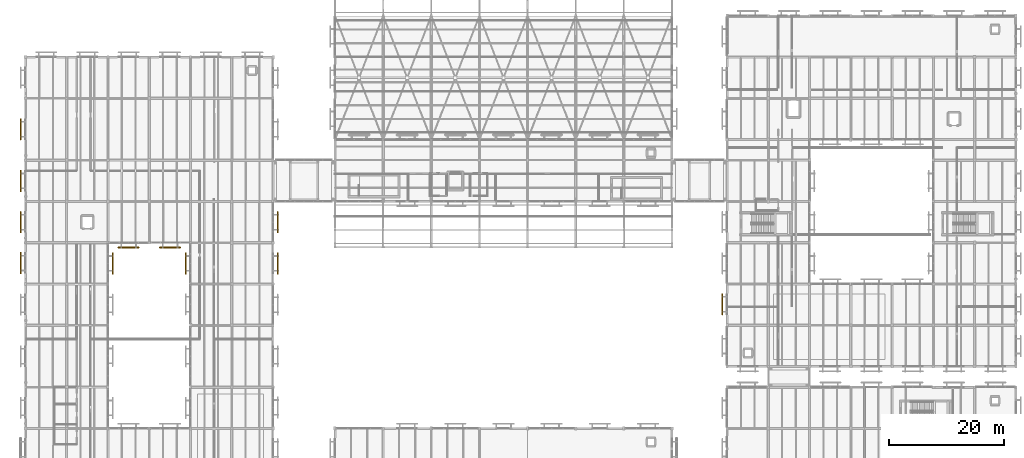
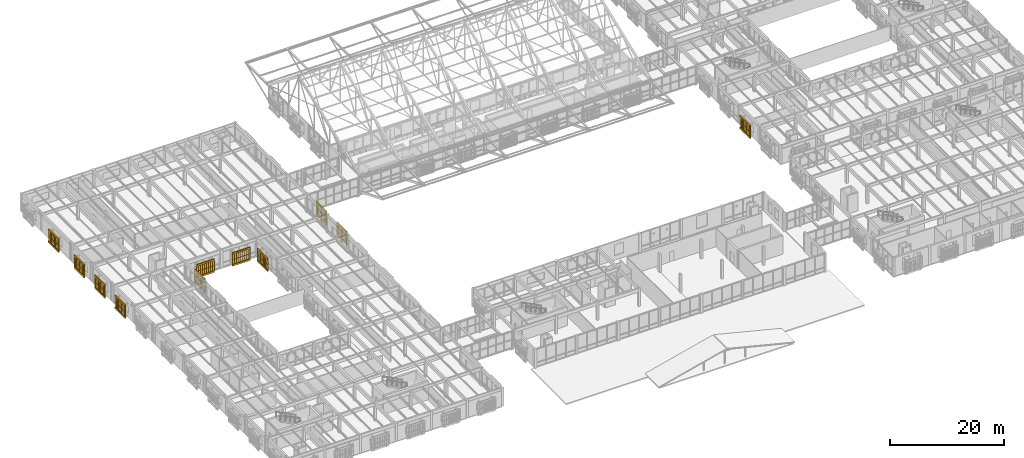
# One storey, part 204 of 217: 22 coverings, 22 railings.
"""IFC4 building model written with IfcOpenShell, lengths in metres."""

from ifc_helpers import new_model, si_unit, direction, frame, origin, origin_2d, place, context, subcontext, project, spatial, polyline, circle, outline, extrude, material, layer, layer_set, type_object, element, save


model = new_model("IFC4")

# Units and contexts
model_context = context("Model", 3, precision=1e-05, world=origin(), true_north=direction((0.0, 1.0)))
body_context = subcontext(model_context, "Body", "Model", "MODEL_VIEW")
ifc_project = project(units=[si_unit("LENGTHUNIT", "METRE"), si_unit("AREAUNIT", "SQUARE_METRE"), si_unit("VOLUMEUNIT", "CUBIC_METRE"), si_unit("PLANEANGLEUNIT", "RADIAN"), si_unit("MASSUNIT", "GRAM", prefix="KILO")], contexts=[model_context])

# Site, building, storey
site_placement = place(None, origin())
site = spatial("IfcSite", under=ifc_project, at=site_placement, CompositionType="ELEMENT")
building_placement = place(site_placement, origin())
building = spatial("IfcBuilding", under=site, at=building_placement, Name="Mazaris Harbour Polytechnic", CompositionType="ELEMENT")
storey_placement = place(building_placement, frame((0.0, 0.0, 9.60009765625)))
storey = spatial("IfcBuildingStorey", under=building, at=storey_placement, Name="L02", CompositionType="ELEMENT", Elevation=9.60009765625)

# Railings
ifc_material_1 = material(Name="Perforated Earth-Coloured Terracotta Block", Category="masonry")
railing_type = type_object("IfcRailingType", Name="Perforated Earth-Block Claustra Lattice 1040", PredefinedType="BALUSTRADE", material=ifc_material_1)
for number, where, name in (
    (1, (-0.820068359375, 63.06494140625, 0.52001953125), "V4 L02 Lower Perforated Terracotta Block Screen 220"),
    (2, (-0.820068359375, 63.06494140625, 1.60498046875), "V4 L02 Upper Perforated Terracotta Block Screen 220"),
):
    element("IfcRailing", number, at=place(storey_placement, frame(where)), inside=storey, type_object=railing_type, Name=name, PredefinedType="BALUSTRADE", context=body_context, shape_type="SweptSolid", body=[
        extrude(circle(Radius=0.06982421875, at=origin_2d()), frame((0.0, 0.0, 1.01513671875), z_axis=(0.0, 1.0, 0.0), x_axis=(-1.0, 0.0, 0.0)), (0.0, 0.0, 1.0), 3.60009765625),
        extrude(circle(Radius=0.074951171875, at=origin_2d()), origin(), (0.0, 0.0, 1.0), 0.945068359375),
        extrude(circle(Radius=0.074951171875, at=origin_2d()), frame((0.0, 0.39990234375, 0.0)), (0.0, 0.0, 1.0), 0.945068359375),
        extrude(circle(Radius=0.074951171875, at=origin_2d()), frame((0.0, 0.800048828125, 0.0)), (0.0, 0.0, 1.0), 0.945068359375),
        extrude(circle(Radius=0.074951171875, at=origin_2d()), frame((0.0, 1.199951171875, 0.0)), (0.0, 0.0, 1.0), 0.945068359375),
        extrude(circle(Radius=0.074951171875, at=origin_2d()), frame((0.0, 1.60009765625, 0.0)), (0.0, 0.0, 1.0), 0.945068359375),
        extrude(circle(Radius=0.074951171875, at=origin_2d()), frame((0.0, 2.0, 0.0)), (0.0, 0.0, 1.0), 0.945068359375),
        extrude(circle(Radius=0.074951171875, at=origin_2d()), frame((0.0, 2.400146484375, 0.0)), (0.0, 0.0, 1.0), 0.945068359375),
        extrude(circle(Radius=0.074951171875, at=origin_2d()), frame((0.0, 2.800048828125, 0.0)), (0.0, 0.0, 1.0), 0.945068359375),
        extrude(circle(Radius=0.074951171875, at=origin_2d()), frame((0.0, 3.2001953125, 0.0)), (0.0, 0.0, 1.0), 0.945068359375),
        extrude(circle(Radius=0.074951171875, at=origin_2d()), frame((0.0, 3.60009765625, 0.0)), (0.0, 0.0, 1.0), 0.945068359375),
    ])
for number, where, name in (
    (3, (-0.820068359375, 70.18994140625, 0.52001953125), "V4 L02 Lower Perforated Terracotta Block Screen 221"),
    (4, (-0.820068359375, 70.18994140625, 1.60986328125), "V4 L02 Upper Perforated Terracotta Block Screen 221"),
    (5, (-0.820068359375, 77.389892578125, 0.52001953125), "V4 L02 Lower Perforated Terracotta Block Screen 222"),
    (6, (-0.820068359375, 77.389892578125, 1.60986328125), "V4 L02 Upper Perforated Terracotta Block Screen 222"),
    (7, (-0.820068359375, 86.389892578125, 0.52001953125), "V4 L02 Lower Perforated Terracotta Block Screen 223"),
    (8, (-0.820068359375, 86.389892578125, 1.60986328125), "V4 L02 Upper Perforated Terracotta Block Screen 223"),
):
    element("IfcRailing", number, at=place(storey_placement, frame(where)), inside=storey, type_object=railing_type, Name=name, PredefinedType="BALUSTRADE", context=body_context, shape_type="SweptSolid", body=[
        extrude(circle(Radius=0.06982421875, at=origin_2d()), frame((0.0, 0.0, 1.02001953125), z_axis=(0.0, 1.0, 0.0), x_axis=(-1.0, 0.0, 0.0)), (0.0, 0.0, 1.0), 3.60009765625),
        extrude(circle(Radius=0.074951171875, at=origin_2d()), origin(), (0.0, 0.0, 1.0), 0.9501953125),
        extrude(circle(Radius=0.074951171875, at=origin_2d()), frame((0.0, 0.39990234375, 0.0)), (0.0, 0.0, 1.0), 0.9501953125),
        extrude(circle(Radius=0.074951171875, at=origin_2d()), frame((0.0, 0.800048828125, 0.0)), (0.0, 0.0, 1.0), 0.9501953125),
        extrude(circle(Radius=0.074951171875, at=origin_2d()), frame((0.0, 1.199951171875, 0.0)), (0.0, 0.0, 1.0), 0.9501953125),
        extrude(circle(Radius=0.074951171875, at=origin_2d()), frame((0.0, 1.60009765625, 0.0)), (0.0, 0.0, 1.0), 0.9501953125),
        extrude(circle(Radius=0.074951171875, at=origin_2d()), frame((0.0, 2.0, 0.0)), (0.0, 0.0, 1.0), 0.9501953125),
        extrude(circle(Radius=0.074951171875, at=origin_2d()), frame((0.0, 2.400146484375, 0.0)), (0.0, 0.0, 1.0), 0.9501953125),
        extrude(circle(Radius=0.074951171875, at=origin_2d()), frame((0.0, 2.800048828125, 0.0)), (0.0, 0.0, 1.0), 0.9501953125),
        extrude(circle(Radius=0.074951171875, at=origin_2d()), frame((0.0, 3.2001953125, 0.0)), (0.0, 0.0, 1.0), 0.9501953125),
        extrude(circle(Radius=0.074951171875, at=origin_2d()), frame((0.0, 3.60009765625, 0.0)), (0.0, 0.0, 1.0), 0.9501953125),
    ])
for number, where, name in (
    (9, (44.02001953125, 66.590087890625, 0.52001953125), "V4 L02 Lower Perforated Terracotta Block Screen 231"),
    (10, (44.02001953125, 66.590087890625, 1.60986328125), "V4 L02 Upper Perforated Terracotta Block Screen 231"),
    (11, (44.02001953125, 73.7900390625, 0.52001953125), "V4 L02 Lower Perforated Terracotta Block Screen 232"),
    (12, (44.02001953125, 73.7900390625, 1.60986328125), "V4 L02 Upper Perforated Terracotta Block Screen 232"),
):
    element("IfcRailing", number, at=place(storey_placement, frame(where)), inside=storey, type_object=railing_type, Name=name, PredefinedType="BALUSTRADE", context=body_context, shape_type="SweptSolid", body=[
        extrude(circle(Radius=0.06982421875, at=origin_2d()), frame((0.0, 0.0, 1.02001953125), z_axis=(0.0, -1.0, 0.0), x_axis=(1.0, 0.0, 0.0)), (0.0, 0.0, 1.0), 3.60009765625),
        extrude(circle(Radius=0.074951171875, at=origin_2d()), origin(), (0.0, 0.0, 1.0), 0.9501953125),
        extrude(circle(Radius=0.074951171875, at=origin_2d()), frame((0.0, -0.39990234375, 0.0)), (0.0, 0.0, 1.0), 0.9501953125),
        extrude(circle(Radius=0.074951171875, at=origin_2d()), frame((0.0, -0.800048828125, 0.0)), (0.0, 0.0, 1.0), 0.9501953125),
        extrude(circle(Radius=0.074951171875, at=origin_2d()), frame((0.0, -1.199951171875, 0.0)), (0.0, 0.0, 1.0), 0.9501953125),
        extrude(circle(Radius=0.074951171875, at=origin_2d()), frame((0.0, -1.60009765625, 0.0)), (0.0, 0.0, 1.0), 0.9501953125),
        extrude(circle(Radius=0.074951171875, at=origin_2d()), frame((0.0, -2.0, 0.0)), (0.0, 0.0, 1.0), 0.9501953125),
        extrude(circle(Radius=0.074951171875, at=origin_2d()), frame((0.0, -2.400146484375, 0.0)), (0.0, 0.0, 1.0), 0.9501953125),
        extrude(circle(Radius=0.074951171875, at=origin_2d()), frame((0.0, -2.800048828125, 0.0)), (0.0, 0.0, 1.0), 0.9501953125),
        extrude(circle(Radius=0.074951171875, at=origin_2d()), frame((0.0, -3.2001953125, 0.0)), (0.0, 0.0, 1.0), 0.9501953125),
        extrude(circle(Radius=0.074951171875, at=origin_2d()), frame((0.0, -3.60009765625, 0.0)), (0.0, 0.0, 1.0), 0.9501953125),
    ])
for number, where, name in (
    (13, (19.780029296875, 67.580078125, 0.52001953125), "V4 L02 Lower Perforated Terracotta Block Screen 237"),
    (14, (19.780029296875, 67.580078125, 1.60498046875), "V4 L02 Upper Perforated Terracotta Block Screen 237"),
    (15, (27.030029296875, 67.580078125, 0.52001953125), "V4 L02 Lower Perforated Terracotta Block Screen 238"),
    (16, (27.030029296875, 67.580078125, 1.60498046875), "V4 L02 Upper Perforated Terracotta Block Screen 238"),
):
    element("IfcRailing", number, at=place(storey_placement, frame(where)), inside=storey, type_object=railing_type, Name=name, PredefinedType="BALUSTRADE", context=body_context, shape_type="SweptSolid", body=[
        extrude(circle(Radius=0.06982421875, at=origin_2d()), frame((0.0, 0.0, 1.01513671875), z_axis=(-1.0, 0.0, 0.0), x_axis=(0.0, -1.0, 0.0)), (0.0, 0.0, 1.0), 3.60009765625),
        extrude(circle(Radius=0.074951171875, at=origin_2d()), origin(), (0.0, 0.0, 1.0), 0.945068359375),
        extrude(circle(Radius=0.074951171875, at=origin_2d()), frame((-0.39990234375, 0.0, 0.0)), (0.0, 0.0, 1.0), 0.945068359375),
        extrude(circle(Radius=0.074951171875, at=origin_2d()), frame((-0.800048828125, 0.0, 0.0)), (0.0, 0.0, 1.0), 0.945068359375),
        extrude(circle(Radius=0.074951171875, at=origin_2d()), frame((-1.199951171875, 0.0, 0.0)), (0.0, 0.0, 1.0), 0.945068359375),
        extrude(circle(Radius=0.074951171875, at=origin_2d()), frame((-1.60009765625, 0.0, 0.0)), (0.0, 0.0, 1.0), 0.945068359375),
        extrude(circle(Radius=0.074951171875, at=origin_2d()), frame((-2.0, 0.0, 0.0)), (0.0, 0.0, 1.0), 0.945068359375),
        extrude(circle(Radius=0.074951171875, at=origin_2d()), frame((-2.400146484375, 0.0, 0.0)), (0.0, 0.0, 1.0), 0.945068359375),
        extrude(circle(Radius=0.074951171875, at=origin_2d()), frame((-2.800048828125, 0.0, 0.0)), (0.0, 0.0, 1.0), 0.945068359375),
        extrude(circle(Radius=0.074951171875, at=origin_2d()), frame((-3.2001953125, 0.0, 0.0)), (0.0, 0.0, 1.0), 0.945068359375),
        extrude(circle(Radius=0.074951171875, at=origin_2d()), frame((-3.60009765625, 0.0, 0.0)), (0.0, 0.0, 1.0), 0.945068359375),
    ])
for number, where, name in (
    (17, (15.219970703125, 62.989990234375, 0.52001953125), "V4 L02 Lower Perforated Terracotta Block Screen 242"),
    (18, (15.219970703125, 62.989990234375, 1.60498046875), "V4 L02 Upper Perforated Terracotta Block Screen 242"),
):
    element("IfcRailing", number, at=place(storey_placement, frame(where)), inside=storey, type_object=railing_type, Name=name, PredefinedType="BALUSTRADE", context=body_context, shape_type="SweptSolid", body=[
        extrude(circle(Radius=0.06982421875, at=origin_2d()), frame((0.0, 0.0, 1.01513671875), z_axis=(0.0, 1.0, 0.0), x_axis=(-1.0, 0.0, 0.0)), (0.0, 0.0, 1.0), 3.60009765625),
        extrude(circle(Radius=0.074951171875, at=origin_2d()), origin(), (0.0, 0.0, 1.0), 0.945068359375),
        extrude(circle(Radius=0.074951171875, at=origin_2d()), frame((0.0, 0.39990234375, 0.0)), (0.0, 0.0, 1.0), 0.945068359375),
        extrude(circle(Radius=0.074951171875, at=origin_2d()), frame((0.0, 0.800048828125, 0.0)), (0.0, 0.0, 1.0), 0.945068359375),
        extrude(circle(Radius=0.074951171875, at=origin_2d()), frame((0.0, 1.199951171875, 0.0)), (0.0, 0.0, 1.0), 0.945068359375),
        extrude(circle(Radius=0.074951171875, at=origin_2d()), frame((0.0, 1.60009765625, 0.0)), (0.0, 0.0, 1.0), 0.945068359375),
        extrude(circle(Radius=0.074951171875, at=origin_2d()), frame((0.0, 2.0, 0.0)), (0.0, 0.0, 1.0), 0.945068359375),
        extrude(circle(Radius=0.074951171875, at=origin_2d()), frame((0.0, 2.400146484375, 0.0)), (0.0, 0.0, 1.0), 0.945068359375),
        extrude(circle(Radius=0.074951171875, at=origin_2d()), frame((0.0, 2.800048828125, 0.0)), (0.0, 0.0, 1.0), 0.945068359375),
        extrude(circle(Radius=0.074951171875, at=origin_2d()), frame((0.0, 3.2001953125, 0.0)), (0.0, 0.0, 1.0), 0.945068359375),
        extrude(circle(Radius=0.074951171875, at=origin_2d()), frame((0.0, 3.60009765625, 0.0)), (0.0, 0.0, 1.0), 0.945068359375),
    ])
for number, where, name in (
    (19, (27.97998046875, 66.590087890625, 0.52001953125), "V4 L02 Lower Perforated Terracotta Block Screen 246"),
    (20, (27.97998046875, 66.590087890625, 1.60498046875), "V4 L02 Upper Perforated Terracotta Block Screen 246"),
):
    element("IfcRailing", number, at=place(storey_placement, frame(where)), inside=storey, type_object=railing_type, Name=name, PredefinedType="BALUSTRADE", context=body_context, shape_type="SweptSolid", body=[
        extrude(circle(Radius=0.06982421875, at=origin_2d()), frame((0.0, 0.0, 1.01513671875), z_axis=(0.0, -1.0, 0.0), x_axis=(1.0, 0.0, 0.0)), (0.0, 0.0, 1.0), 3.60009765625),
        extrude(circle(Radius=0.074951171875, at=origin_2d()), origin(), (0.0, 0.0, 1.0), 0.945068359375),
        extrude(circle(Radius=0.074951171875, at=origin_2d()), frame((0.0, -0.39990234375, 0.0)), (0.0, 0.0, 1.0), 0.945068359375),
        extrude(circle(Radius=0.074951171875, at=origin_2d()), frame((0.0, -0.800048828125, 0.0)), (0.0, 0.0, 1.0), 0.945068359375),
        extrude(circle(Radius=0.074951171875, at=origin_2d()), frame((0.0, -1.199951171875, 0.0)), (0.0, 0.0, 1.0), 0.945068359375),
        extrude(circle(Radius=0.074951171875, at=origin_2d()), frame((0.0, -1.60009765625, 0.0)), (0.0, 0.0, 1.0), 0.945068359375),
        extrude(circle(Radius=0.074951171875, at=origin_2d()), frame((0.0, -2.0, 0.0)), (0.0, 0.0, 1.0), 0.945068359375),
        extrude(circle(Radius=0.074951171875, at=origin_2d()), frame((0.0, -2.400146484375, 0.0)), (0.0, 0.0, 1.0), 0.945068359375),
        extrude(circle(Radius=0.074951171875, at=origin_2d()), frame((0.0, -2.800048828125, 0.0)), (0.0, 0.0, 1.0), 0.945068359375),
        extrude(circle(Radius=0.074951171875, at=origin_2d()), frame((0.0, -3.2001953125, 0.0)), (0.0, 0.0, 1.0), 0.945068359375),
        extrude(circle(Radius=0.074951171875, at=origin_2d()), frame((0.0, -3.60009765625, 0.0)), (0.0, 0.0, 1.0), 0.945068359375),
    ])
for number, where, name in (
    (21, (121.580078125, 55.864990234375, 0.52001953125), "V5 L02 Lower Perforated Terracotta Block Screen 420"),
    (22, (121.580078125, 55.864990234375, 1.60986328125), "V5 L02 Upper Perforated Terracotta Block Screen 420"),
):
    element("IfcRailing", number, at=place(storey_placement, frame(where)), inside=storey, type_object=railing_type, Name=name, PredefinedType="BALUSTRADE", context=body_context, shape_type="SweptSolid", body=[
        extrude(circle(Radius=0.06982421875, at=origin_2d()), frame((0.0, 0.0, 1.02001953125), z_axis=(0.0, 1.0, 0.0), x_axis=(-1.0, 0.0, 0.0)), (0.0, 0.0, 1.0), 3.60009765625),
        extrude(circle(Radius=0.074951171875, at=origin_2d()), origin(), (0.0, 0.0, 1.0), 0.9501953125),
        extrude(circle(Radius=0.074951171875, at=origin_2d()), frame((0.0, 0.39990234375, 0.0)), (0.0, 0.0, 1.0), 0.9501953125),
        extrude(circle(Radius=0.074951171875, at=origin_2d()), frame((0.0, 0.800048828125, 0.0)), (0.0, 0.0, 1.0), 0.9501953125),
        extrude(circle(Radius=0.074951171875, at=origin_2d()), frame((0.0, 1.199951171875, 0.0)), (0.0, 0.0, 1.0), 0.9501953125),
        extrude(circle(Radius=0.074951171875, at=origin_2d()), frame((0.0, 1.60009765625, 0.0)), (0.0, 0.0, 1.0), 0.9501953125),
        extrude(circle(Radius=0.074951171875, at=origin_2d()), frame((0.0, 2.0, 0.0)), (0.0, 0.0, 1.0), 0.9501953125),
        extrude(circle(Radius=0.074951171875, at=origin_2d()), frame((0.0, 2.400146484375, 0.0)), (0.0, 0.0, 1.0), 0.9501953125),
        extrude(circle(Radius=0.074951171875, at=origin_2d()), frame((0.0, 2.800048828125, 0.0)), (0.0, 0.0, 1.0), 0.9501953125),
        extrude(circle(Radius=0.074951171875, at=origin_2d()), frame((0.0, 3.2001953125, 0.0)), (0.0, 0.0, 1.0), 0.9501953125),
        extrude(circle(Radius=0.074951171875, at=origin_2d()), frame((0.0, 3.60009765625, 0.0)), (0.0, 0.0, 1.0), 0.9501953125),
    ])

# Coverings
ifc_material_2 = material(Name="Perforated Earth-Coloured Terracotta Block", Category="masonry")
ifc_layer = layer(ifc_material_2, 0.219970703125, Name="Perforated Earth-Coloured Terracotta Block")
ifc_layer_set = layer_set([ifc_layer], Name="Perforated Earth-Coloured Terracotta Block")
covering_type = type_object("IfcCoveringType", Name="Terracotta Screen Course Cladding 220", PredefinedType="CLADDING", material=ifc_layer_set)
covering_1_placement = place(storey_placement, frame((0.0, 0.0, 0.159912109375)))
element("IfcCovering", 23, at=covering_1_placement, inside=storey, type_object=covering_type, Name="V4 L02 Perforated Screen Sill Course 220", PredefinedType="CLADDING", context=body_context, shape_type="SweptSolid", body=[
    extrude(outline(polyline([(-0.7099609375, 63.06494140625), (-0.7099609375, 66.6650390625), (-0.929931640625, 66.6650390625), (-0.929931640625, 63.06494140625), (-0.7099609375, 63.06494140625)])), origin(), (0.0, 0.0, 1.0), 0.360107421875),
])
covering_2_placement = place(storey_placement, frame((0.0, 0.0, 2.68994140625)))
element("IfcCovering", 24, at=covering_2_placement, inside=storey, type_object=covering_type, Name="V4 L02 Perforated Screen Lintel Course 220", PredefinedType="CLADDING", context=body_context, shape_type="SweptSolid", body=[
    extrude(outline(polyline([(-0.7099609375, 63.06494140625), (-0.7099609375, 66.6650390625), (-0.929931640625, 66.6650390625), (-0.929931640625, 63.06494140625), (-0.7099609375, 63.06494140625)])), origin(), (0.0, 0.0, 1.0), 0.33984375),
])
covering_3_placement = place(storey_placement, frame((0.0, 0.0, 0.159912109375)))
element("IfcCovering", 25, at=covering_3_placement, inside=storey, type_object=covering_type, Name="V4 L02 Perforated Screen Sill Course 221", PredefinedType="CLADDING", context=body_context, shape_type="SweptSolid", body=[
    extrude(outline(polyline([(-0.7099609375, 70.18994140625), (-0.7099609375, 73.7900390625), (-0.929931640625, 73.7900390625), (-0.929931640625, 70.18994140625), (-0.7099609375, 70.18994140625)])), origin(), (0.0, 0.0, 1.0), 0.360107421875),
])
covering_4_placement = place(storey_placement, frame((0.0, 0.0, 2.699951171875)))
element("IfcCovering", 26, at=covering_4_placement, inside=storey, type_object=covering_type, Name="V4 L02 Perforated Screen Lintel Course 221", PredefinedType="CLADDING", context=body_context, shape_type="SweptSolid", body=[
    extrude(outline(polyline([(-0.7099609375, 70.18994140625), (-0.7099609375, 73.7900390625), (-0.929931640625, 73.7900390625), (-0.929931640625, 70.18994140625), (-0.7099609375, 70.18994140625)])), origin(), (0.0, 0.0, 1.0), 0.33984375),
])
covering_5_placement = place(storey_placement, frame((0.0, 0.0, 0.159912109375)))
element("IfcCovering", 27, at=covering_5_placement, inside=storey, type_object=covering_type, Name="V4 L02 Perforated Screen Sill Course 222", PredefinedType="CLADDING", context=body_context, shape_type="SweptSolid", body=[
    extrude(outline(polyline([(-0.7099609375, 77.389892578125), (-0.7099609375, 80.989990234375), (-0.929931640625, 80.989990234375), (-0.929931640625, 77.389892578125), (-0.7099609375, 77.389892578125)])), origin(), (0.0, 0.0, 1.0), 0.360107421875),
])
covering_6_placement = place(storey_placement, frame((0.0, 0.0, 2.699951171875)))
element("IfcCovering", 28, at=covering_6_placement, inside=storey, type_object=covering_type, Name="V4 L02 Perforated Screen Lintel Course 222", PredefinedType="CLADDING", context=body_context, shape_type="SweptSolid", body=[
    extrude(outline(polyline([(-0.7099609375, 77.389892578125), (-0.7099609375, 80.989990234375), (-0.929931640625, 80.989990234375), (-0.929931640625, 77.389892578125), (-0.7099609375, 77.389892578125)])), origin(), (0.0, 0.0, 1.0), 0.33984375),
])
covering_7_placement = place(storey_placement, frame((0.0, 0.0, 0.159912109375)))
element("IfcCovering", 29, at=covering_7_placement, inside=storey, type_object=covering_type, Name="V4 L02 Perforated Screen Sill Course 223", PredefinedType="CLADDING", context=body_context, shape_type="SweptSolid", body=[
    extrude(outline(polyline([(-0.7099609375, 86.389892578125), (-0.7099609375, 89.989990234375), (-0.929931640625, 89.989990234375), (-0.929931640625, 86.389892578125), (-0.7099609375, 86.389892578125)])), origin(), (0.0, 0.0, 1.0), 0.360107421875),
])
covering_8_placement = place(storey_placement, frame((0.0, 0.0, 2.699951171875)))
element("IfcCovering", 30, at=covering_8_placement, inside=storey, type_object=covering_type, Name="V4 L02 Perforated Screen Lintel Course 223", PredefinedType="CLADDING", context=body_context, shape_type="SweptSolid", body=[
    extrude(outline(polyline([(-0.7099609375, 86.389892578125), (-0.7099609375, 89.989990234375), (-0.929931640625, 89.989990234375), (-0.929931640625, 86.389892578125), (-0.7099609375, 86.389892578125)])), origin(), (0.0, 0.0, 1.0), 0.33984375),
])
covering_9_placement = place(storey_placement, frame((0.0, 0.0, 0.159912109375)))
element("IfcCovering", 31, at=covering_9_placement, inside=storey, type_object=covering_type, Name="V4 L02 Perforated Screen Sill Course 231", PredefinedType="CLADDING", context=body_context, shape_type="SweptSolid", body=[
    extrude(outline(polyline([(43.909912109375, 66.590087890625), (43.909912109375, 62.989990234375), (44.1298828125, 62.989990234375), (44.1298828125, 66.590087890625), (43.909912109375, 66.590087890625)])), origin(), (0.0, 0.0, 1.0), 0.360107421875),
])
covering_10_placement = place(storey_placement, frame((0.0, 0.0, 2.699951171875)))
element("IfcCovering", 32, at=covering_10_placement, inside=storey, type_object=covering_type, Name="V4 L02 Perforated Screen Lintel Course 231", PredefinedType="CLADDING", context=body_context, shape_type="SweptSolid", body=[
    extrude(outline(polyline([(43.909912109375, 66.590087890625), (43.909912109375, 62.989990234375), (44.1298828125, 62.989990234375), (44.1298828125, 66.590087890625), (43.909912109375, 66.590087890625)])), origin(), (0.0, 0.0, 1.0), 0.33984375),
])
covering_11_placement = place(storey_placement, frame((0.0, 0.0, 0.159912109375)))
element("IfcCovering", 33, at=covering_11_placement, inside=storey, type_object=covering_type, Name="V4 L02 Perforated Screen Sill Course 232", PredefinedType="CLADDING", context=body_context, shape_type="SweptSolid", body=[
    extrude(outline(polyline([(43.909912109375, 73.7900390625), (43.909912109375, 70.18994140625), (44.1298828125, 70.18994140625), (44.1298828125, 73.7900390625), (43.909912109375, 73.7900390625)])), origin(), (0.0, 0.0, 1.0), 0.360107421875),
])
covering_12_placement = place(storey_placement, frame((0.0, 0.0, 2.699951171875)))
element("IfcCovering", 34, at=covering_12_placement, inside=storey, type_object=covering_type, Name="V4 L02 Perforated Screen Lintel Course 232", PredefinedType="CLADDING", context=body_context, shape_type="SweptSolid", body=[
    extrude(outline(polyline([(43.909912109375, 73.7900390625), (43.909912109375, 70.18994140625), (44.1298828125, 70.18994140625), (44.1298828125, 73.7900390625), (43.909912109375, 73.7900390625)])), origin(), (0.0, 0.0, 1.0), 0.33984375),
])
covering_13_placement = place(storey_placement, frame((0.0, 0.0, 0.159912109375)))
element("IfcCovering", 35, at=covering_13_placement, inside=storey, type_object=covering_type, Name="V4 L02 Perforated Screen Sill Course 237", PredefinedType="CLADDING", context=body_context, shape_type="SweptSolid", body=[
    extrude(outline(polyline([(19.780029296875, 67.68994140625), (16.179931640625, 67.68994140625), (16.179931640625, 67.469970703125), (19.780029296875, 67.469970703125), (19.780029296875, 67.68994140625)])), origin(), (0.0, 0.0, 1.0), 0.360107421875),
])
covering_14_placement = place(storey_placement, frame((0.0, 0.0, 2.68994140625)))
element("IfcCovering", 36, at=covering_14_placement, inside=storey, type_object=covering_type, Name="V4 L02 Perforated Screen Lintel Course 237", PredefinedType="CLADDING", context=body_context, shape_type="SweptSolid", body=[
    extrude(outline(polyline([(19.780029296875, 67.68994140625), (16.179931640625, 67.68994140625), (16.179931640625, 67.469970703125), (19.780029296875, 67.469970703125), (19.780029296875, 67.68994140625)])), origin(), (0.0, 0.0, 1.0), 0.33984375),
])
covering_15_placement = place(storey_placement, frame((0.0, 0.0, 0.159912109375)))
element("IfcCovering", 37, at=covering_15_placement, inside=storey, type_object=covering_type, Name="V4 L02 Perforated Screen Sill Course 238", PredefinedType="CLADDING", context=body_context, shape_type="SweptSolid", body=[
    extrude(outline(polyline([(27.030029296875, 67.68994140625), (23.429931640625, 67.68994140625), (23.429931640625, 67.469970703125), (27.030029296875, 67.469970703125), (27.030029296875, 67.68994140625)])), origin(), (0.0, 0.0, 1.0), 0.360107421875),
])
covering_16_placement = place(storey_placement, frame((0.0, 0.0, 2.68994140625)))
element("IfcCovering", 38, at=covering_16_placement, inside=storey, type_object=covering_type, Name="V4 L02 Perforated Screen Lintel Course 238", PredefinedType="CLADDING", context=body_context, shape_type="SweptSolid", body=[
    extrude(outline(polyline([(27.030029296875, 67.68994140625), (23.429931640625, 67.68994140625), (23.429931640625, 67.469970703125), (27.030029296875, 67.469970703125), (27.030029296875, 67.68994140625)])), origin(), (0.0, 0.0, 1.0), 0.33984375),
])
covering_17_placement = place(storey_placement, frame((0.0, 0.0, 0.159912109375)))
element("IfcCovering", 39, at=covering_17_placement, inside=storey, type_object=covering_type, Name="V4 L02 Perforated Screen Sill Course 242", PredefinedType="CLADDING", context=body_context, shape_type="SweptSolid", body=[
    extrude(outline(polyline([(15.110107421875, 62.989990234375), (15.110107421875, 66.590087890625), (15.330078125, 66.590087890625), (15.330078125, 62.989990234375), (15.110107421875, 62.989990234375)])), origin(), (0.0, 0.0, 1.0), 0.360107421875),
])
covering_18_placement = place(storey_placement, frame((0.0, 0.0, 2.68994140625)))
element("IfcCovering", 40, at=covering_18_placement, inside=storey, type_object=covering_type, Name="V4 L02 Perforated Screen Lintel Course 242", PredefinedType="CLADDING", context=body_context, shape_type="SweptSolid", body=[
    extrude(outline(polyline([(15.110107421875, 62.989990234375), (15.110107421875, 66.590087890625), (15.330078125, 66.590087890625), (15.330078125, 62.989990234375), (15.110107421875, 62.989990234375)])), origin(), (0.0, 0.0, 1.0), 0.33984375),
])
covering_19_placement = place(storey_placement, frame((0.0, 0.0, 0.159912109375)))
element("IfcCovering", 41, at=covering_19_placement, inside=storey, type_object=covering_type, Name="V4 L02 Perforated Screen Sill Course 246", PredefinedType="CLADDING", context=body_context, shape_type="SweptSolid", body=[
    extrude(outline(polyline([(28.090087890625, 66.590087890625), (28.090087890625, 62.989990234375), (27.8701171875, 62.989990234375), (27.8701171875, 66.590087890625), (28.090087890625, 66.590087890625)])), origin(), (0.0, 0.0, 1.0), 0.360107421875),
])
covering_20_placement = place(storey_placement, frame((0.0, 0.0, 2.68994140625)))
element("IfcCovering", 42, at=covering_20_placement, inside=storey, type_object=covering_type, Name="V4 L02 Perforated Screen Lintel Course 246", PredefinedType="CLADDING", context=body_context, shape_type="SweptSolid", body=[
    extrude(outline(polyline([(28.090087890625, 66.590087890625), (28.090087890625, 62.989990234375), (27.8701171875, 62.989990234375), (27.8701171875, 66.590087890625), (28.090087890625, 66.590087890625)])), origin(), (0.0, 0.0, 1.0), 0.33984375),
])
covering_21_placement = place(storey_placement, frame((0.0, 0.0, 0.159912109375)))
element("IfcCovering", 43, at=covering_21_placement, inside=storey, type_object=covering_type, Name="V5 L02 Perforated Screen Sill Course 420", PredefinedType="CLADDING", context=body_context, shape_type="SweptSolid", body=[
    extrude(outline(polyline([(121.68994140625, 55.864990234375), (121.68994140625, 59.465087890625), (121.469970703125, 59.465087890625), (121.469970703125, 55.864990234375), (121.68994140625, 55.864990234375)])), origin(), (0.0, 0.0, 1.0), 0.360107421875),
])
covering_22_placement = place(storey_placement, frame((0.0, 0.0, 2.699951171875)))
element("IfcCovering", 44, at=covering_22_placement, inside=storey, type_object=covering_type, Name="V5 L02 Perforated Screen Lintel Course 420", PredefinedType="CLADDING", context=body_context, shape_type="SweptSolid", body=[
    extrude(outline(polyline([(121.68994140625, 55.864990234375), (121.68994140625, 59.465087890625), (121.469970703125, 59.465087890625), (121.469970703125, 55.864990234375), (121.68994140625, 55.864990234375)])), origin(), (0.0, 0.0, 1.0), 0.33984375),
])

save(model, "model.ifc")
